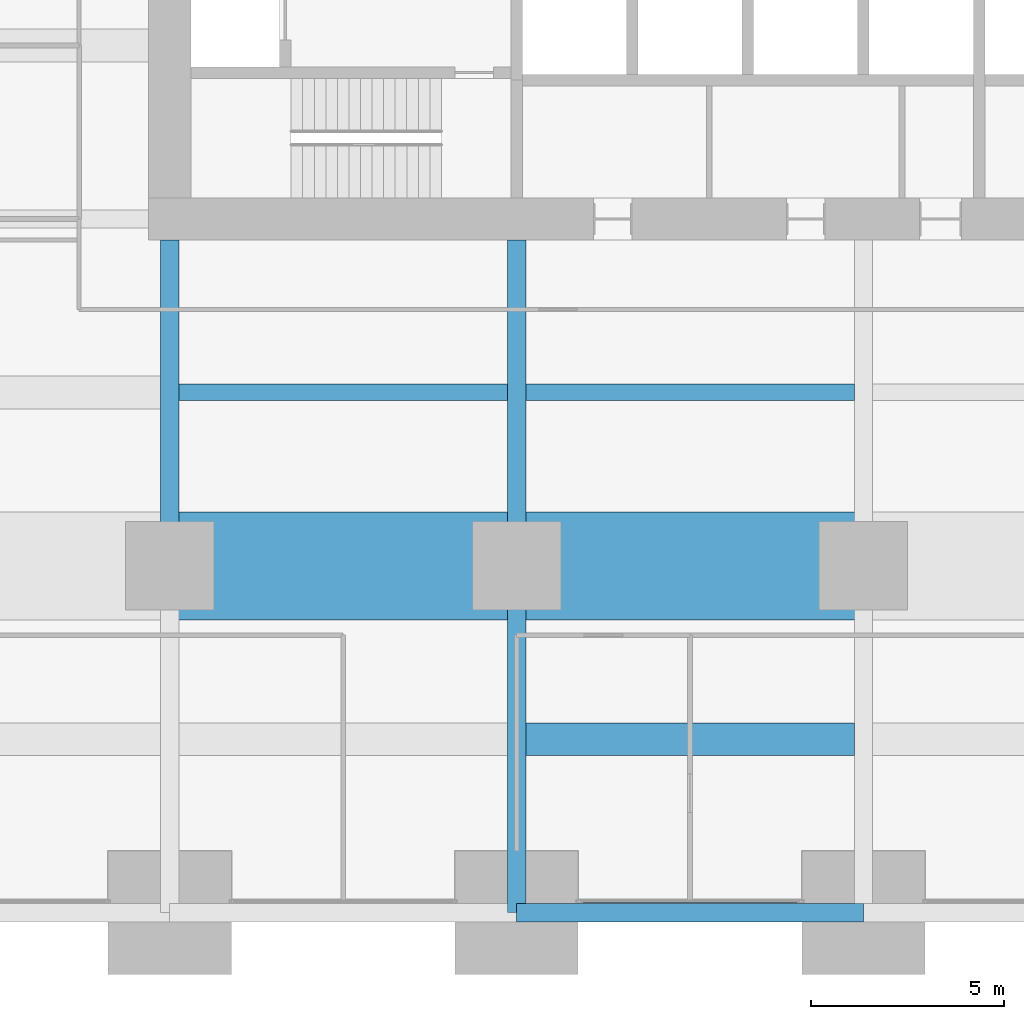
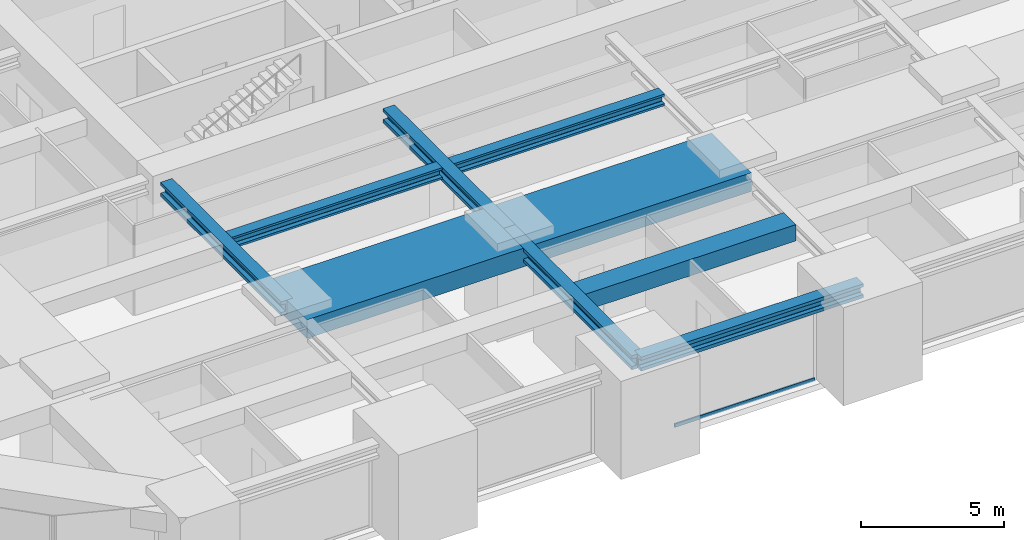
# One storey, part 7 of 42: 9 beams, 1 member, 1 element without a shape of its own.
"""IFC4 building model written with IfcOpenShell, lengths in metres."""

from ifc_helpers import new_model, si_unit, direction, frame, origin, origin_2d, place, context, subcontext, project, spatial, rectangle, hollow_rectangle, i_section, extrude, material, material_profile, profile_set, type_object, element, aggregate, save


model = new_model("IFC4")

# Units and contexts
model_context = context("Model", 3, precision=1e-05, world=origin(), true_north=direction((0.0, 1.0)))
body_context = subcontext(model_context, "Body", "Model", "MODEL_VIEW")
ifc_project = project(units=[si_unit("LENGTHUNIT", "METRE"), si_unit("AREAUNIT", "SQUARE_METRE"), si_unit("VOLUMEUNIT", "CUBIC_METRE"), si_unit("PLANEANGLEUNIT", "RADIAN"), si_unit("MASSUNIT", "GRAM", prefix="KILO")], contexts=[model_context])

# Site, building, storey
site_placement = place(None, origin())
site = spatial("IfcSite", under=ifc_project, at=site_placement, CompositionType="ELEMENT")
building_placement = place(site_placement, origin())
building = spatial("IfcBuilding", under=site, at=building_placement, Name="Zorevar Civic Tower", CompositionType="ELEMENT")
storey_placement = place(building_placement, frame((0.0, 0.0, 75.800048828125)))
storey = spatial("IfcBuildingStorey", under=building, at=storey_placement, Name="L18", CompositionType="ELEMENT", Elevation=75.800048828125)

# Beams
ifc_material_1 = material(Name="Concrete C50/60", Category="concrete")
ifc_material_profile_1 = material_profile(ifc_material_1, rectangle(XDim=2.800048828125, YDim=0.800048828125, at=origin_2d()), Name="RC 2800x800")
ifc_profile_set_1 = profile_set([ifc_material_profile_1], Name="Concrete C50/60")
beam_type_1 = type_object("IfcBeamType", Name="Beam RC 2800x800", PredefinedType="BEAM", material=ifc_profile_set_1)
for number, where, z_axis, x_axis, name in (
    (1, (18.0, 9.0, 3.449951171875), (1.0, 0.0, 0.0), (0.0, 1.0, 0.0), "Girder L19"),
    (2, (27.0, 9.0, 3.449951171875), (1.0, 0.0, 0.0), (0.0, 1.0, 0.0), "Girder L19"),
):
    element("IfcBeam", number, at=place(storey_placement, frame(where, z_axis=z_axis, x_axis=x_axis)), inside=storey, type_object=beam_type_1, Name=name, PredefinedType="BEAM", context=body_context, shape_type="SweptSolid", body=[
        extrude(rectangle(XDim=2.800048828125, YDim=0.800048828125, at=origin_2d()), origin(), (0.0, 0.0, 1.0), 9.0),
    ])
ifc_material_2 = material(Name="Concrete C50/60", Category="concrete")
ifc_material_profile_2 = material_profile(ifc_material_2, rectangle(XDim=0.85009765625, YDim=0.699951171875, at=origin_2d()), Name="RC 850x700")
ifc_profile_set_2 = profile_set([ifc_material_profile_2], Name="Concrete C50/60")
beam_type_2 = type_object("IfcBeamType", Name="Beam RC 850x700", PredefinedType="BEAM", material=ifc_profile_set_2)
beam_1_placement = place(storey_placement, frame((27.238037109375, 4.5, 3.5), z_axis=(1.0, 0.0, 0.0), x_axis=(0.0, 1.0, 0.0)))
element("IfcBeam", 3, at=beam_1_placement, inside=storey, type_object=beam_type_2, Name="Secondary beam L19", PredefinedType="BEAM", context=body_context, shape_type="SweptSolid", body=[
    extrude(rectangle(XDim=0.85009765625, YDim=0.699951171875, at=origin_2d()), origin(), (0.0, 0.0, 1.0), 8.52392578125),
])
ifc_material_3 = material(Name="Steel S460M (HISTAR 460)", Category="steel")
ifc_material_profile_3 = material_profile(ifc_material_3, i_section(OverallWidth=0.47607421875, OverallDepth=0.60009765625, WebThickness=0.10009765625, FlangeThickness=0.139892578125, FilletRadius=0.014892578125, at=origin_2d()), Name="HD 400x1299")
ifc_profile_set_3 = profile_set([ifc_material_profile_3], Name="Steel S460M (HISTAR 460)")
beam_type_3 = type_object("IfcBeamType", Name="Belt chord HD 400x1299", PredefinedType="BEAM", material=ifc_profile_set_3)
beam_2_placement = place(storey_placement, frame((27.0, 0.0, 3.550048828125), z_axis=(1.0, 0.0, 0.0), x_axis=(0.0, 1.0, 0.0)))
element("IfcBeam", 4, at=beam_2_placement, inside=storey, type_object=beam_type_3, Name="Belt chord L19", PredefinedType="BEAM", context=body_context, shape_type="SweptSolid", body=[
    extrude(i_section(OverallWidth=0.47607421875, OverallDepth=0.60009765625, WebThickness=0.10009765625, FlangeThickness=0.139892578125, FilletRadius=0.014892578125, at=origin_2d()), origin(), (0.0, 0.0, 1.0), 9.0),
])

# Curtain wall, member
ifc_material_4 = material(Name="Dark grey solar-control glass in black aluminium frame", Category="aluminium")
curtain_wall_type = type_object("IfcCurtainWallType", Name="Curtain wall CW2 low zone", PredefinedType="NOTDEFINED", material=ifc_material_4)
curtain_wall_placement = place(storey_placement, origin())
curtain_wall = element("IfcCurtainWall", 5, at=curtain_wall_placement, inside=storey, type_object=curtain_wall_type, Name="CW2 L18", PredefinedType="NOTDEFINED")
ifc_material_5 = material(Name="Aluminium, black anodised", Category="aluminium")
ifc_material_profile_4 = material_profile(ifc_material_5, hollow_rectangle(XDim=0.06005859375, YDim=0.14990234375, WallThickness=0.00390625, at=origin_2d()), Name="AL 150x60x4")
ifc_profile_set_4 = profile_set([ifc_material_profile_4], Name="Aluminium, black anodised")
member_type = type_object("IfcMemberType", Name="CW2 transom AL 150x60x4", PredefinedType="USERDEFINED", material=ifc_profile_set_4)
member_placement = place(storey_placement, frame((28.659912109375, 0.300048828125, 0.030029296875), z_axis=(1.0, 0.0, 0.0), x_axis=(0.0, 1.0, 0.0)))
member = element("IfcMember", 6, at=member_placement, type_object=member_type, Name="CW2 sill transom", ObjectType="TRANSOM", PredefinedType="USERDEFINED", context=body_context, shape_type="SweptSolid", body=[
    extrude(hollow_rectangle(XDim=0.06005859375, YDim=0.14990234375, WallThickness=0.00390625, at=origin_2d()), origin(), (0.0, 0.0, 1.0), 5.68017578125),
])
aggregate(curtain_wall, [member])

# Beams
ifc_material_6 = material(Name="Steel S460M (HISTAR 460)", Category="steel")
ifc_material_profile_5 = material_profile(ifc_material_6, i_section(OverallWidth=0.431884765625, OverallDepth=0.498046875, WebThickness=0.0556640625, FlangeThickness=0.0888671875, FilletRadius=0.014892578125, at=origin_2d()), Name="HD 400x744")
ifc_profile_set_5 = profile_set([ifc_material_profile_5], Name="Steel S460M (HISTAR 460)")
beam_type_4 = type_object("IfcBeamType", Name="Core bay beam HD 400x744", PredefinedType="BEAM", material=ifc_profile_set_5)
for number, where, z_axis, x_axis, name in (
    (7, (18.238037109375, 13.5, 3.600830078125), (1.0, 0.0, 0.0), (0.0, 1.0, 0.0), "Secondary beam L19"),
    (8, (27.238037109375, 13.5, 3.600830078125), (1.0, 0.0, 0.0), (0.0, 1.0, 0.0), "Secondary beam L19"),
):
    element("IfcBeam", number, at=place(storey_placement, frame(where, z_axis=z_axis, x_axis=x_axis)), inside=storey, type_object=beam_type_4, Name=name, PredefinedType="BEAM", context=body_context, shape_type="SweptSolid", body=[
        extrude(i_section(OverallWidth=0.431884765625, OverallDepth=0.498046875, WebThickness=0.0556640625, FlangeThickness=0.0888671875, FilletRadius=0.014892578125, at=origin_2d()), origin(), (0.0, 0.0, 1.0), 8.52392578125),
    ])
ifc_material_7 = material(Name="Steel S460M (HISTAR 460)", Category="steel")
ifc_material_profile_6 = material_profile(ifc_material_7, i_section(OverallWidth=0.47607421875, OverallDepth=0.60009765625, WebThickness=0.10009765625, FlangeThickness=0.139892578125, FilletRadius=0.014892578125, at=origin_2d()), Name="HD 400x1299")
ifc_profile_set_6 = profile_set([ifc_material_profile_6], Name="Steel S460M (HISTAR 460)")
beam_type_5 = type_object("IfcBeamType", Name="Outrigger chord HD 400x1299", PredefinedType="BEAM", material=ifc_profile_set_6)
beam_3_placement = place(storey_placement, frame((18.0, 9.0, 3.550048828125), z_axis=(0.0, 1.0, 0.0), x_axis=(-1.0, 0.0, 0.0)))
element("IfcBeam", 9, at=beam_3_placement, inside=storey, type_object=beam_type_5, Name="Outrigger chord L19", PredefinedType="BEAM", context=body_context, shape_type="SweptSolid", body=[
    extrude(i_section(OverallWidth=0.47607421875, OverallDepth=0.60009765625, WebThickness=0.10009765625, FlangeThickness=0.139892578125, FilletRadius=0.014892578125, at=origin_2d()), origin(), (0.0, 0.0, 1.0), 8.449951171875),
])
beam_4_placement = place(storey_placement, frame((27.0, 0.0, 3.550048828125), z_axis=(0.0, 1.0, 0.0), x_axis=(-1.0, 0.0, 0.0)))
element("IfcBeam", 10, at=beam_4_placement, inside=storey, type_object=beam_type_5, Name="Outrigger chord L19", PredefinedType="BEAM", context=body_context, shape_type="SweptSolid", body=[
    extrude(i_section(OverallWidth=0.47607421875, OverallDepth=0.60009765625, WebThickness=0.10009765625, FlangeThickness=0.139892578125, FilletRadius=0.014892578125, at=origin_2d()), origin(), (0.0, 0.0, 1.0), 9.0),
])
beam_5_placement = place(storey_placement, frame((27.0, 9.0, 3.550048828125), z_axis=(0.0, 1.0, 0.0), x_axis=(-1.0, 0.0, 0.0)))
element("IfcBeam", 11, at=beam_5_placement, inside=storey, type_object=beam_type_5, Name="Outrigger chord L19", PredefinedType="BEAM", context=body_context, shape_type="SweptSolid", body=[
    extrude(i_section(OverallWidth=0.47607421875, OverallDepth=0.60009765625, WebThickness=0.10009765625, FlangeThickness=0.139892578125, FilletRadius=0.014892578125, at=origin_2d()), origin(), (0.0, 0.0, 1.0), 8.449951171875),
])

save(model, "model.ifc")
